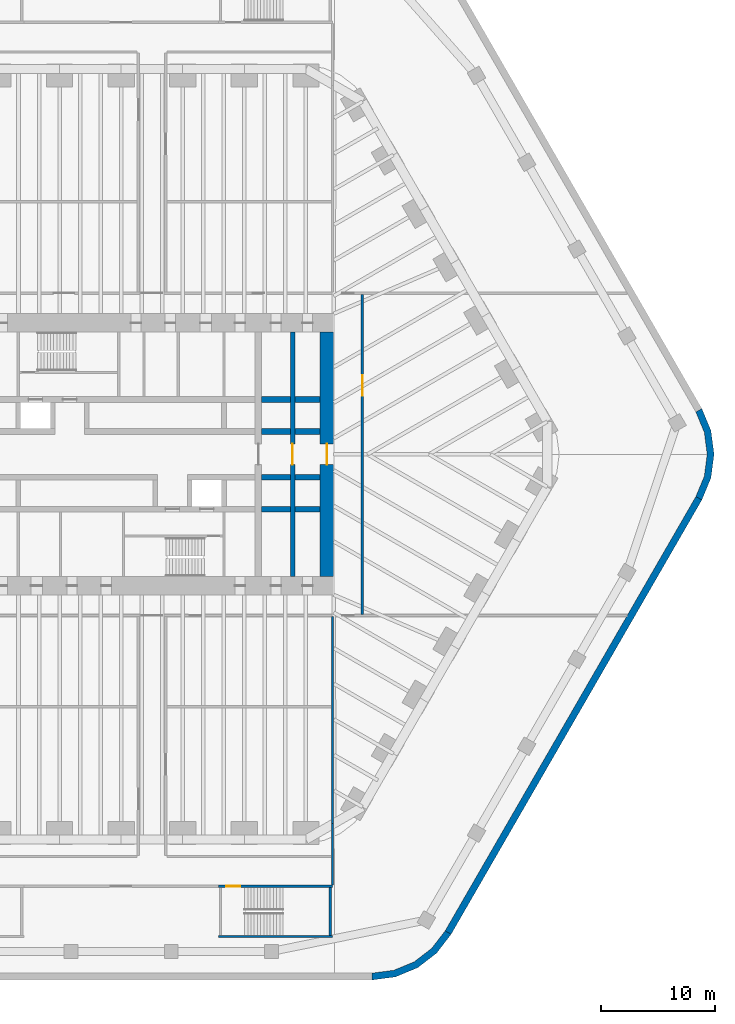
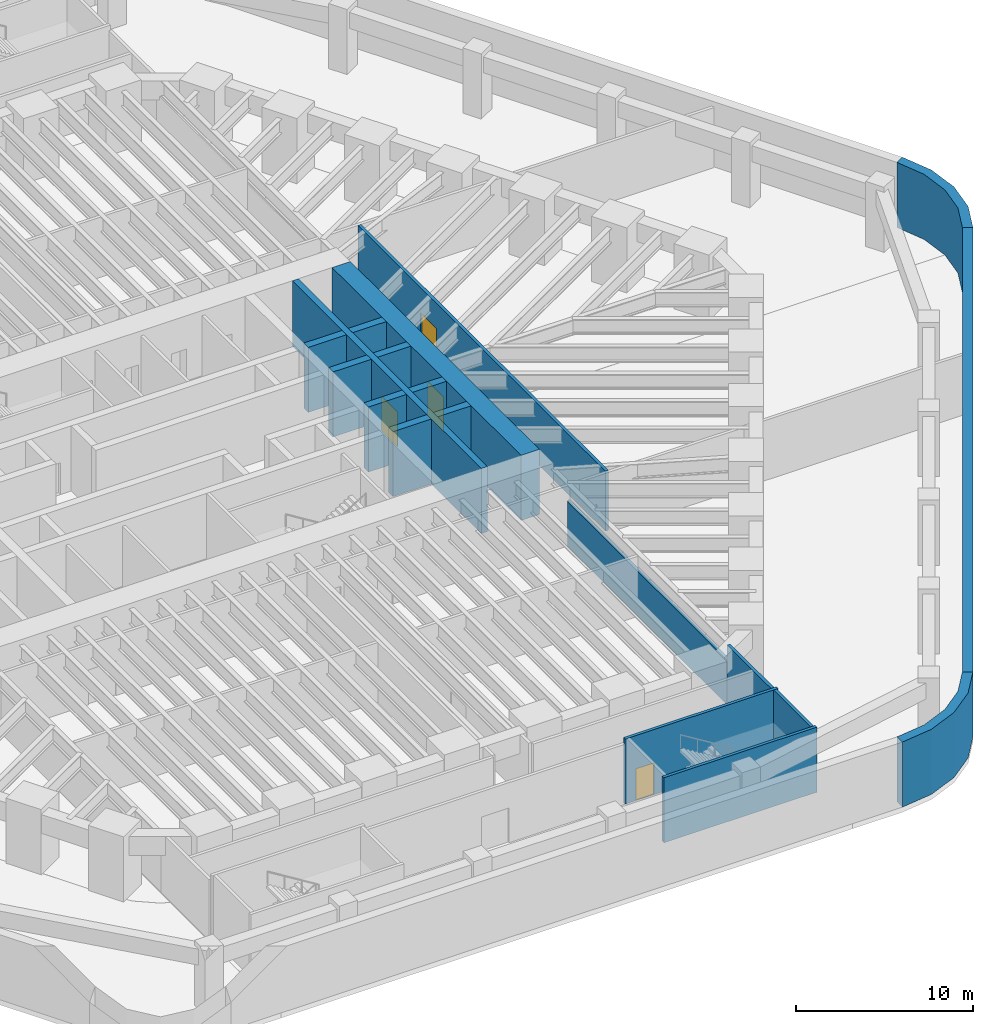
# One storey, part 9 of 12: 19 walls, 4 doors, 4 openings.
"""IFC4 building model written with IfcOpenShell, lengths in metres."""

from ifc_helpers import new_model, si_unit, direction, frame, frame_2d, origin, place, context, subcontext, project, spatial, polyline, rectangle, outline, extrude, material, layer, layer_set, type_object, element, fill, save


model = new_model("IFC4")

# Units and contexts
model_context = context("Model", 3, precision=1e-05, world=origin(), true_north=direction((0.0, 1.0)))
body_context = subcontext(model_context, "Body", "Model", "MODEL_VIEW")
ifc_project = project(units=[si_unit("LENGTHUNIT", "METRE"), si_unit("AREAUNIT", "SQUARE_METRE"), si_unit("VOLUMEUNIT", "CUBIC_METRE"), si_unit("PLANEANGLEUNIT", "RADIAN"), si_unit("MASSUNIT", "GRAM", prefix="KILO")], contexts=[model_context])

# Site, building, storey
site_placement = place(None, origin())
site = spatial("IfcSite", under=ifc_project, at=site_placement, CompositionType="ELEMENT")
building_placement = place(site_placement, origin())
building = spatial("IfcBuilding", under=site, at=building_placement, Name="Tarfa Lantern Tower", CompositionType="ELEMENT")
storey_placement = place(building_placement, frame((0.0, 0.0, -4.5)))
storey = spatial("IfcBuildingStorey", under=building, at=storey_placement, Name="B1", CompositionType="ELEMENT", Elevation=-4.5)

# Walls
ifc_material_1 = material(Name="Concrete blockwork", Category="masonry")
ifc_layer_1 = layer(ifc_material_1, 0.199951171875)
ifc_layer_set_1 = layer_set([ifc_layer_1], Name="IW1 BLOCKWORK PARTITION 200 EI 120")
wall_type_1 = type_object("IfcWallType", Name="IW1 BLOCKWORK PARTITION 200 EI 120", PredefinedType="PARTITIONING", material=ifc_layer_set_1)
wall_1_placement = place(storey_placement, frame((18.5, -14.199951171875, 0.0), z_axis=(0.0, 0.0, 1.0), x_axis=(0.0, -1.0, 0.0)))
element("IfcWall", 1, at=wall_1_placement, inside=storey, type_object=wall_type_1, Name="Fire-rated partition", PredefinedType="PARTITIONING", context=body_context, shape_type="SweptSolid", body=[
    extrude(rectangle(XDim=18.09033203125, YDim=0.199951171875, at=frame_2d((9.045166015625, 0.0))), origin(), (0.0, 0.0, 1.0), 3.093994140625),
])
wall_2_placement = place(storey_placement, frame((18.5, -32.290283203125, 0.0), z_axis=(0.0, 0.0, 1.0), x_axis=(0.0, -1.0, 0.0)))
element("IfcWall", 2, at=wall_2_placement, inside=storey, type_object=wall_type_1, Name="Fire-rated partition", PredefinedType="PARTITIONING", context=body_context, shape_type="SweptSolid", body=[
    extrude(rectangle(XDim=5.40966796875, YDim=0.199951171875, at=frame_2d((2.704833984375, 0.0))), origin(), (0.0, 0.0, 1.0), 4.14990234375),
])

# Wall, opening, door
wall_3_placement = place(storey_placement, frame((21.10009765625, -14.0, 0.0), z_axis=(0.0, 0.0, 1.0), x_axis=(0.0, 1.0, 0.0)))
wall_3 = element("IfcWall", 3, at=wall_3_placement, inside=storey, type_object=wall_type_1, Name="Fire-rated partition", PredefinedType="PARTITIONING", context=body_context, shape_type="SweptSolid", body=[
    extrude(rectangle(XDim=28.0, YDim=0.199951171875, at=frame_2d((14.0, 0.0))), origin(), (0.0, 0.0, 1.0), 4.14990234375),
])
opening_1_placement = place(wall_3_placement, frame((19.10009765625, 0.0, 0.0)))
opening_1 = element("IfcOpeningElement", 4, at=opening_1_placement, cuts=wall_3, Name="Opening D41", PredefinedType="OPENING", context=body_context, shape_type="SweptSolid", body=[
    extrude(rectangle(XDim=1.800048828125, YDim=2.39990234375, at=frame_2d((0.89990234375, 1.199951171875))), frame((0.0, 0.10986328125, 0.0), z_axis=(0.0, -1.0, 0.0), x_axis=(1.0, 0.0, 0.0)), (0.0, 0.0, 1.0), 0.219970703125),
])
ifc_material_2 = material(Name="Steel fire door", Category="steel")
door_type_1 = type_object("IfcDoorType", Name="DF7 FIRE DOOR 1800x2400", OperationType="DOUBLE_DOOR_SINGLE_SWING", PredefinedType="DOOR", material=ifc_material_2)
door_1_placement = place(opening_1_placement, frame((1.800048828125, 0.0, 0.0), z_axis=(0.0, 0.0, 1.0), x_axis=(-1.0, 0.0, 0.0)))
door_1 = element("IfcDoor", 5, at=door_1_placement, inside=storey, type_object=door_type_1, Name="Plant room door", OperationType="DOUBLE_DOOR_SINGLE_SWING", OverallHeight=2.39990234375, OverallWidth=1.800048828125, PredefinedType="DOOR", context=body_context, shape_type="SweptSolid", body=[
    extrude(rectangle(XDim=1.800048828125, YDim=2.39990234375, at=frame_2d((0.89990234375, 1.199951171875))), frame((0.0, 0.02490234375, 0.0), z_axis=(0.0, -1.0, 0.0), x_axis=(1.0, 0.0, 0.0)), (0.0, 0.0, 1.0), 0.050048828125),
])
fill(opening_1, door_1)

# Walls
ifc_material_3 = material(Name="Concrete C50/60", Category="concrete")
ifc_layer_2 = layer(ifc_material_3, 0.60009765625)
ifc_layer_set_2 = layer_set([ifc_layer_2], Name="RW1 RETAINING WALL 600")
wall_type_2 = type_object("IfcWallType", Name="RW1 RETAINING WALL 600", PredefinedType="SOLIDWALL", material=ifc_layer_set_2)
wall_4_placement = place(storey_placement, origin())
element("IfcWall", 6, at=wall_4_placement, inside=storey, type_object=wall_type_2, Name="Retaining wall corner S", PredefinedType="SOLIDWALL", context=body_context, shape_type="SweptSolid", body=[
    extrude(outline(polyline([(21.939208984375, -46.0), (24.009765625, -45.727294921875), (25.939208984375, -44.92822265625), (27.59619140625, -43.65673828125), (28.867431640625, -42.0), (28.347900390625, -41.699951171875), (27.171875, -43.232666015625), (25.639404296875, -44.40869140625), (23.8544921875, -45.14794921875), (21.939208984375, -45.39990234375), (21.939208984375, -46.0)])), origin(), (0.0, 0.0, 1.0), 4.5),
])
wall_5_placement = place(storey_placement, frame((28.607666015625, -41.85009765625, 0.0), z_axis=(0.0, 0.0, 1.0), x_axis=(0.500002442456, 0.866023993627, 0.0)))
element("IfcWall", 7, at=wall_5_placement, inside=storey, type_object=wall_type_2, Name="Retaining wall SE", PredefinedType="SOLIDWALL", context=body_context, shape_type="SweptSolid", body=[
    extrude(rectangle(XDim=43.878662109375, YDim=0.60009765625, at=frame_2d((21.939453125, 0.0))), origin(), (0.0, 0.0, 1.0), 4.5),
])
wall_6_placement = place(storey_placement, origin())
element("IfcWall", 8, at=wall_6_placement, inside=storey, type_object=wall_type_2, Name="Retaining wall corner SE", PredefinedType="SOLIDWALL", context=body_context, shape_type="SweptSolid", body=[
    extrude(outline(polyline([(50.806884765625, -4.0), (51.60595703125, -2.070556640625), (51.878662109375, 0.0), (51.60595703125, 2.070556640625), (50.806884765625, 4.0), (50.287109375, 3.699951171875), (51.0263671875, 1.915283203125), (51.278564453125, 0.0), (51.0263671875, -1.915283203125), (50.287109375, -3.699951171875), (50.806884765625, -4.0)])), origin(), (0.0, 0.0, 1.0), 4.5),
])

# Wall, opening, door
ifc_material_4 = material(Name="Concrete C80/95", Category="concrete")
ifc_layer_3 = layer(ifc_material_4, 1.199951171875)
ifc_layer_set_3 = layer_set([ifc_layer_3], Name="SW1 CORE WALL 1200")
wall_type_3 = type_object("IfcWallType", Name="SW1 CORE WALL 1200", PredefinedType="SHEAR", material=ifc_layer_set_3)
wall_7_placement = place(storey_placement, frame((18.0, -10.699951171875, 0.0), z_axis=(0.0, 0.0, 1.0), x_axis=(0.0, 1.0, 0.0)))
wall_7 = element("IfcWall", 9, at=wall_7_placement, inside=storey, type_object=wall_type_3, Name="Core wall E", PredefinedType="SHEAR", context=body_context, shape_type="SweptSolid", body=[
    extrude(rectangle(XDim=21.39990234375, YDim=1.199951171875, at=frame_2d((10.699951171875, 0.0))), origin(), (0.0, 0.0, 1.0), 4.5),
])
opening_2_placement = place(wall_7_placement, frame((9.800048828125, 0.0, 0.0)))
opening_2 = element("IfcOpeningElement", 10, at=opening_2_placement, cuts=wall_7, Name="Opening D15", PredefinedType="OPENING", context=body_context, shape_type="SweptSolid", body=[
    extrude(rectangle(XDim=1.800048828125, YDim=2.39990234375, at=frame_2d((0.89990234375, 1.199951171875))), frame((0.0, 0.60986328125, 0.0), z_axis=(0.0, -1.0, 0.0), x_axis=(1.0, 0.0, 0.0)), (0.0, 0.0, 1.0), 1.219970703125),
])
door_type_2 = type_object("IfcDoorType", Name="DL1 LOBBY DOOR 1800x2400", OperationType="DOUBLE_DOOR_SINGLE_SWING", PredefinedType="DOOR", material=ifc_material_2)
door_2_placement = place(opening_2_placement, frame((1.800048828125, 0.0, 0.0), z_axis=(0.0, 0.0, 1.0), x_axis=(-1.0, 0.0, 0.0)))
door_2 = element("IfcDoor", 11, at=door_2_placement, inside=storey, type_object=door_type_2, Name="Lift lobby door", OperationType="DOUBLE_DOOR_SINGLE_SWING", OverallHeight=2.39990234375, OverallWidth=1.800048828125, PredefinedType="DOOR", context=body_context, shape_type="SweptSolid", body=[
    extrude(rectangle(XDim=1.800048828125, YDim=2.39990234375, at=frame_2d((0.89990234375, 1.199951171875))), frame((0.0, 0.02490234375, 0.0), z_axis=(0.0, -1.0, 0.0), x_axis=(1.0, 0.0, 0.0)), (0.0, 0.0, 1.0), 0.050048828125),
])
fill(opening_2, door_2)

# Wall
ifc_layer_4 = layer(ifc_material_4, 0.199951171875)
ifc_layer_set_4 = layer_set([ifc_layer_4], Name="SW12 CORE WALL 200")
wall_type_4 = type_object("IfcWallType", Name="SW12 CORE WALL 200", PredefinedType="SHEAR", material=ifc_layer_set_4)
wall_8_placement = place(storey_placement, frame((8.5, -42.199951171875, 0.0), z_axis=(0.0, 0.0, 1.0), x_axis=(1.0, 0.0, 0.0)))
element("IfcWall", 12, at=wall_8_placement, inside=storey, type_object=wall_type_4, Name="Stair ST6 shaft wall", PredefinedType="SHEAR", context=body_context, shape_type="SweptSolid", body=[
    extrude(rectangle(XDim=10.0, YDim=0.199951171875, at=frame_2d((5.0, 0.0))), origin(), (0.0, 0.0, 1.0), 4.5),
])

# Wall, opening, door
wall_9_placement = place(storey_placement, frame((18.5, -37.800048828125, 0.0), z_axis=(0.0, 0.0, 1.0), x_axis=(-1.0, 0.0, 0.0)))
wall_9 = element("IfcWall", 13, at=wall_9_placement, inside=storey, type_object=wall_type_4, Name="Stair ST6 shaft wall", PredefinedType="SHEAR", context=body_context, shape_type="SweptSolid", body=[
    extrude(rectangle(XDim=10.0, YDim=0.199951171875, at=frame_2d((5.0, 0.0))), origin(), (0.0, 0.0, 1.0), 4.5),
])
opening_3_placement = place(wall_9_placement, frame((8.10009765625, 0.0, 0.0)))
opening_3 = element("IfcOpeningElement", 14, at=opening_3_placement, cuts=wall_9, Name="Opening D32", PredefinedType="OPENING", context=body_context, shape_type="SweptSolid", body=[
    extrude(rectangle(XDim=1.199951171875, YDim=2.199951171875, at=frame_2d((0.60009765625, 1.10009765625))), frame((0.0, 0.10986328125, 0.0), z_axis=(0.0, -1.0, 0.0), x_axis=(1.0, 0.0, 0.0)), (0.0, 0.0, 1.0), 0.219970703125),
])
door_type_3 = type_object("IfcDoorType", Name="DF9 STAIR DOOR 1200x2200", OperationType="SINGLE_SWING_LEFT", PredefinedType="DOOR", material=ifc_material_2)
door_3_placement = place(opening_3_placement, origin())
door_3 = element("IfcDoor", 15, at=door_3_placement, inside=storey, type_object=door_type_3, Name="Stair door", OperationType="SINGLE_SWING_LEFT", OverallHeight=2.199951171875, OverallWidth=1.199951171875, PredefinedType="DOOR", context=body_context, shape_type="SweptSolid", body=[
    extrude(rectangle(XDim=1.199951171875, YDim=2.199951171875, at=frame_2d((0.60009765625, 1.10009765625))), frame((0.0, 0.02490234375, 0.0), z_axis=(0.0, -1.0, 0.0), x_axis=(1.0, 0.0, 0.0)), (0.0, 0.0, 1.0), 0.050048828125),
])
fill(opening_3, door_3)

# Walls
wall_10_placement = place(storey_placement, frame((18.300048828125, -42.10009765625, 0.0), z_axis=(0.0, 0.0, 1.0), x_axis=(0.0, 1.0, 0.0)))
element("IfcWall", 16, at=wall_10_placement, inside=storey, type_object=wall_type_4, Name="Stair ST6 shaft wall", PredefinedType="SHEAR", context=body_context, shape_type="SweptSolid", body=[
    extrude(rectangle(XDim=4.2001953125, YDim=0.199951171875, at=frame_2d((2.10009765625, 0.0))), origin(), (0.0, 0.0, 1.0), 4.5),
])
ifc_layer_5 = layer(ifc_material_4, 0.5)
ifc_layer_set_5 = layer_set([ifc_layer_5], Name="SW5 CORE WALL 500")
wall_type_5 = type_object("IfcWallType", Name="SW5 CORE WALL 500", PredefinedType="SHEAR", material=ifc_layer_set_5)
wall_11_placement = place(storey_placement, frame((12.300048828125, 2.0, 0.0), z_axis=(0.0, 0.0, 1.0), x_axis=(1.0, 0.0, 0.0)))
element("IfcWall", 17, at=wall_11_placement, inside=storey, type_object=wall_type_5, Name="Core wall lobby east N", PredefinedType="SHEAR", context=body_context, shape_type="SweptSolid", body=[
    extrude(rectangle(XDim=2.5, YDim=0.5, at=frame_2d((1.25, 0.0))), origin(), (0.0, 0.0, 1.0), 4.5),
])
wall_12_placement = place(storey_placement, frame((15.199951171875, 2.0, 0.0), z_axis=(0.0, 0.0, 1.0), x_axis=(1.0, 0.0, 0.0)))
element("IfcWall", 18, at=wall_12_placement, inside=storey, type_object=wall_type_5, Name="Core wall lobby east N", PredefinedType="SHEAR", context=body_context, shape_type="SweptSolid", body=[
    extrude(rectangle(XDim=2.199951171875, YDim=0.5, at=frame_2d((1.10009765625, 0.0))), origin(), (0.0, 0.0, 1.0), 4.5),
])
wall_13_placement = place(storey_placement, frame((12.300048828125, 4.800048828125, 0.0), z_axis=(0.0, 0.0, 1.0), x_axis=(1.0, 0.0, 0.0)))
element("IfcWall", 19, at=wall_13_placement, inside=storey, type_object=wall_type_5, Name="Core wall rear N", PredefinedType="SHEAR", context=body_context, shape_type="SweptSolid", body=[
    extrude(rectangle(XDim=2.5, YDim=0.5, at=frame_2d((1.25, 0.0))), origin(), (0.0, 0.0, 1.0), 4.5),
])
for number, where, z_axis, x_axis, name in (
    (20, (15.199951171875, 4.800048828125, 0.0), (0.0, 0.0, 1.0), (1.0, 0.0, 0.0), "Core wall rear N"),
    (21, (17.39990234375, -2.0, 0.0), (0.0, 0.0, 1.0), (-1.0, 0.0, 0.0), "Core wall lobby west S"),
):
    element("IfcWall", number, at=place(storey_placement, frame(where, z_axis=z_axis, x_axis=x_axis)), inside=storey, type_object=wall_type_5, Name=name, PredefinedType="SHEAR", context=body_context, shape_type="SweptSolid", body=[
        extrude(rectangle(XDim=2.199951171875, YDim=0.5, at=frame_2d((1.10009765625, 0.0))), origin(), (0.0, 0.0, 1.0), 4.5),
    ])
wall_14_placement = place(storey_placement, frame((14.800048828125, -2.0, 0.0), z_axis=(0.0, 0.0, 1.0), x_axis=(-1.0, 0.0, 0.0)))
element("IfcWall", 22, at=wall_14_placement, inside=storey, type_object=wall_type_5, Name="Core wall lobby west S", PredefinedType="SHEAR", context=body_context, shape_type="SweptSolid", body=[
    extrude(rectangle(XDim=2.5, YDim=0.5, at=frame_2d((1.25, 0.0))), origin(), (0.0, 0.0, 1.0), 4.5),
])
wall_15_placement = place(storey_placement, frame((17.39990234375, -4.800048828125, 0.0), z_axis=(0.0, 0.0, 1.0), x_axis=(-1.0, 0.0, 0.0)))
element("IfcWall", 23, at=wall_15_placement, inside=storey, type_object=wall_type_5, Name="Core wall rear S", PredefinedType="SHEAR", context=body_context, shape_type="SweptSolid", body=[
    extrude(rectangle(XDim=2.199951171875, YDim=0.5, at=frame_2d((1.10009765625, 0.0))), origin(), (0.0, 0.0, 1.0), 4.5),
])
wall_16_placement = place(storey_placement, frame((14.800048828125, -4.800048828125, 0.0), z_axis=(0.0, 0.0, 1.0), x_axis=(-1.0, 0.0, 0.0)))
element("IfcWall", 24, at=wall_16_placement, inside=storey, type_object=wall_type_5, Name="Core wall rear S", PredefinedType="SHEAR", context=body_context, shape_type="SweptSolid", body=[
    extrude(rectangle(XDim=2.5, YDim=0.5, at=frame_2d((1.25, 0.0))), origin(), (0.0, 0.0, 1.0), 4.5),
])

# Wall, opening, door
ifc_layer_6 = layer(ifc_material_4, 0.39990234375)
ifc_layer_set_6 = layer_set([ifc_layer_6], Name="SW6 CORE WALL 400")
wall_type_6 = type_object("IfcWallType", Name="SW6 CORE WALL 400", PredefinedType="SHEAR", material=ifc_layer_set_6)
wall_17_placement = place(storey_placement, frame((15.0, -10.699951171875, 0.0), z_axis=(0.0, 0.0, 1.0), x_axis=(0.0, 1.0, 0.0)))
wall_17 = element("IfcWall", 25, at=wall_17_placement, inside=storey, type_object=wall_type_6, Name="Core wall cross 15 m east", PredefinedType="SHEAR", context=body_context, shape_type="SweptSolid", body=[
    extrude(rectangle(XDim=21.39990234375, YDim=0.39990234375, at=frame_2d((10.699951171875, 0.0))), origin(), (0.0, 0.0, 1.0), 4.5),
])
opening_4_placement = place(wall_17_placement, frame((9.800048828125, 0.0, 0.0)))
opening_4 = element("IfcOpeningElement", 26, at=opening_4_placement, cuts=wall_17, Name="Opening D26", PredefinedType="OPENING", context=body_context, shape_type="SweptSolid", body=[
    extrude(rectangle(XDim=1.800048828125, YDim=2.39990234375, at=frame_2d((0.89990234375, 1.199951171875))), frame((0.0, 0.2099609375, 0.0), z_axis=(0.0, -1.0, 0.0), x_axis=(1.0, 0.0, 0.0)), (0.0, 0.0, 1.0), 0.419921875),
])
door_4_placement = place(opening_4_placement, origin())
door_4 = element("IfcDoor", 27, at=door_4_placement, inside=storey, type_object=door_type_2, Name="Lift lobby door", OperationType="DOUBLE_DOOR_SINGLE_SWING", OverallHeight=2.39990234375, OverallWidth=1.800048828125, PredefinedType="DOOR", context=body_context, shape_type="SweptSolid", body=[
    extrude(rectangle(XDim=1.800048828125, YDim=2.39990234375, at=frame_2d((0.89990234375, 1.199951171875))), frame((0.0, 0.02490234375, 0.0), z_axis=(0.0, -1.0, 0.0), x_axis=(1.0, 0.0, 0.0)), (0.0, 0.0, 1.0), 0.050048828125),
])
fill(opening_4, door_4)

save(model, "model.ifc")
